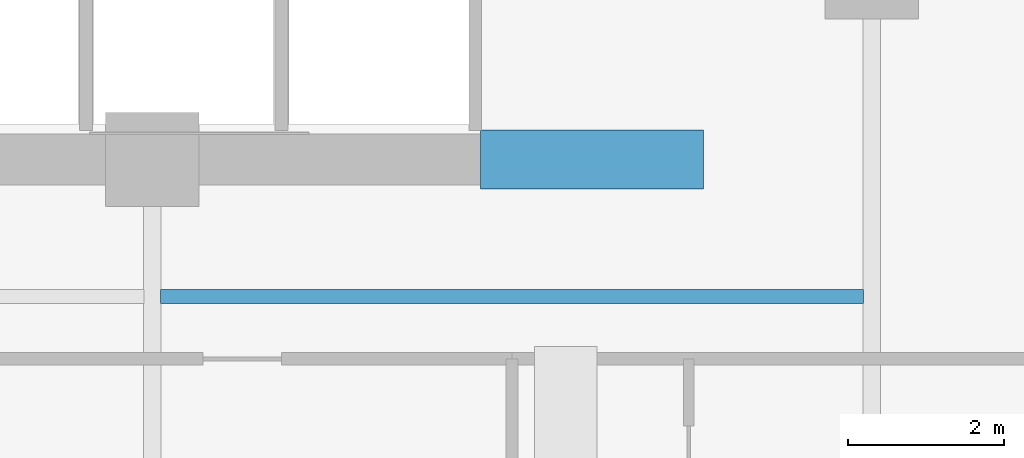
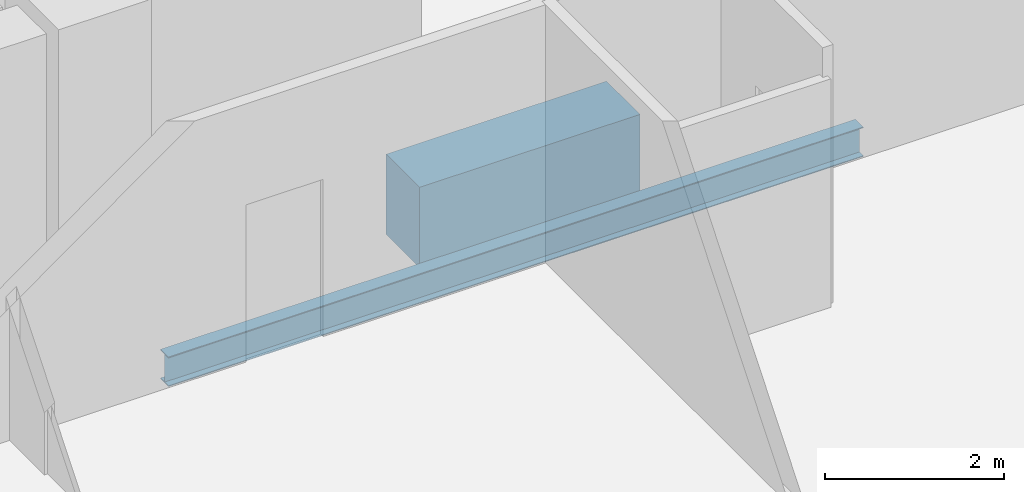
# One storey, part 11 of 32: 2 beams.
"""IFC4 building model written with IfcOpenShell, lengths in metres."""

from ifc_helpers import new_model, si_unit, direction, frame, origin, origin_2d, place, context, subcontext, project, spatial, rectangle, i_section, extrude, material, material_profile, profile_set, type_object, element, save


model = new_model("IFC4")

# Units and contexts
model_context = context("Model", 3, precision=1e-05, world=origin(), true_north=direction((0.0, 1.0)))
body_context = subcontext(model_context, "Body", "Model", "MODEL_VIEW")
ifc_project = project(units=[si_unit("LENGTHUNIT", "METRE"), si_unit("AREAUNIT", "SQUARE_METRE"), si_unit("VOLUMEUNIT", "CUBIC_METRE"), si_unit("PLANEANGLEUNIT", "RADIAN"), si_unit("MASSUNIT", "GRAM", prefix="KILO")], contexts=[model_context])

# Site, building, storey
site_placement = place(None, origin())
site = spatial("IfcSite", under=ifc_project, at=site_placement, CompositionType="ELEMENT")
building_placement = place(site_placement, origin())
building = spatial("IfcBuilding", under=site, at=building_placement, Name="Zuhayl Quay Hotel", CompositionType="ELEMENT")
storey_placement = place(building_placement, frame((0.0, 0.0, 226.14990234375)))
storey = spatial("IfcBuildingStorey", under=building, at=storey_placement, Name="L57", CompositionType="ELEMENT", Elevation=226.14990234375)

# Beams
ifc_material_1 = material(Name="Concrete C60/75", Category="concrete")
ifc_material_profile_1 = material_profile(ifc_material_1, rectangle(XDim=0.75, YDim=1.10009765625, at=origin_2d()), Name="RC750X1100")
ifc_profile_set_1 = profile_set([ifc_material_profile_1], Name="Concrete C60/75")
beam_type_1 = type_object("IfcBeamType", Name="BM_CB2_RC750", PredefinedType="T_BEAM", material=ifc_profile_set_1)
beam_1_placement = place(storey_placement, frame((8.800048828125, 2.14990234375, -0.77001953125), z_axis=(1.0, 0.0, 0.0), x_axis=(0.0, 1.0, 0.0)))
element("IfcBeam", 1, at=beam_1_placement, inside=storey, type_object=beam_type_1, Name="L57 Core Coupling Beam SE", PredefinedType="T_BEAM", context=body_context, shape_type="SweptSolid", body=[
    extrude(rectangle(XDim=0.75, YDim=1.10009765625, at=origin_2d()), origin(), (0.0, 0.0, 1.0), 2.849853515625),
])
ifc_material_2 = material(Name="Steel ASTM A992 Grade 50", Category="steel")
ifc_material_profile_2 = material_profile(ifc_material_2, i_section(OverallWidth=0.177978515625, OverallDepth=0.406005859375, WebThickness=0.0078125, FlangeThickness=0.0126953125, at=origin_2d()), Name="W16X40")
ifc_profile_set_2 = profile_set([ifc_material_profile_2], Name="Steel ASTM A992 Grade 50")
beam_type_2 = type_object("IfcBeamType", Name="BM_J2B_W16X40", PredefinedType="JOIST", material=ifc_profile_set_2)
beam_2_placement = place(storey_placement, frame((4.7060546875, 0.39990234375, -0.4228515625), z_axis=(1.0, 0.0, 0.0), x_axis=(0.0, 1.0, 0.0)))
element("IfcBeam", 2, at=beam_2_placement, inside=storey, type_object=beam_type_2, Name="L57 Floor Beam FJ_L57_8_3", PredefinedType="JOIST", context=body_context, shape_type="SweptSolid", body=[
    extrude(i_section(OverallWidth=0.177978515625, OverallDepth=0.406005859375, WebThickness=0.0078125, FlangeThickness=0.0126953125, at=origin_2d()), origin(), (0.0, 0.0, 1.0), 8.988037109375),
])

save(model, "model.ifc")
